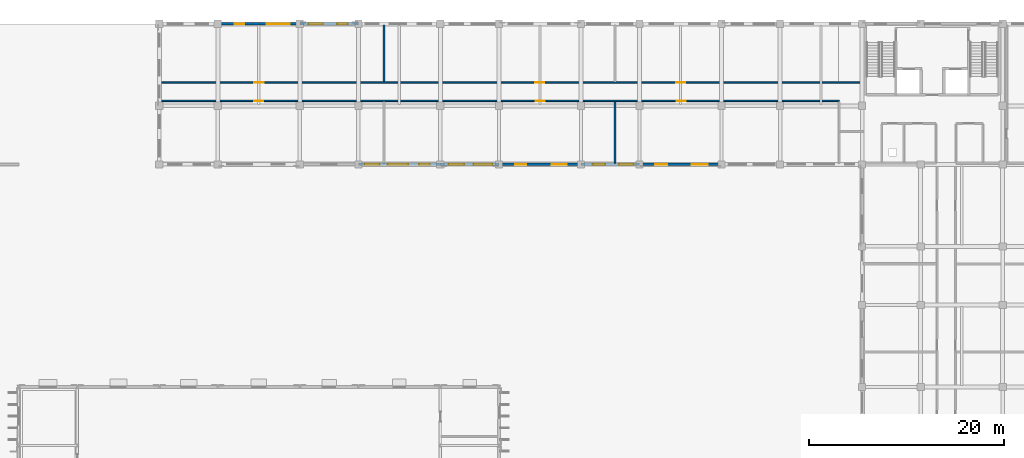
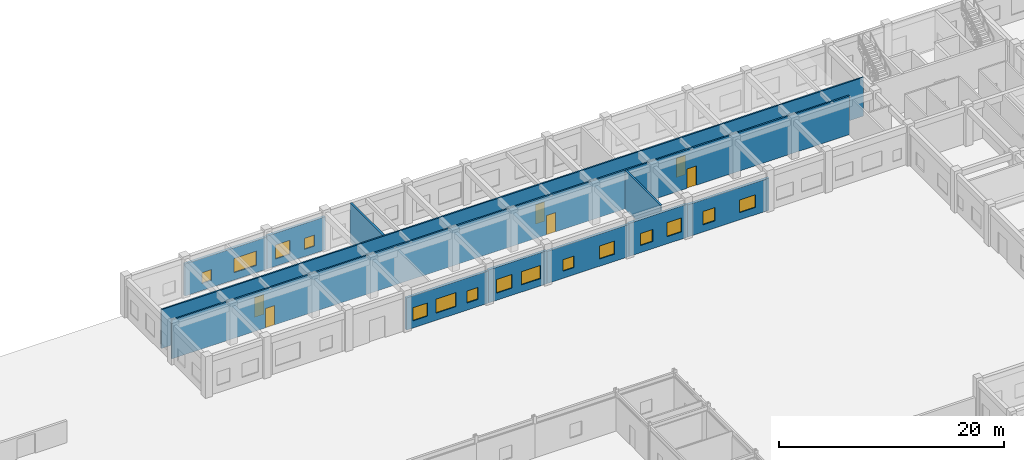
# One storey, part 40 of 67: 15 windows, 11 walls, 6 doors, 21 openings.
"""IFC4 building model written with IfcOpenShell, lengths in metres."""

from ifc_helpers import new_model, si_unit, direction, frame, frame_2d, origin, place, context, subcontext, project, spatial, rectangle, extrude, material, layer, layer_set, type_object, element, fill, save


model = new_model("IFC4")

# Units and contexts
model_context = context("Model", 3, precision=1e-05, world=origin(), true_north=direction((0.0, 1.0)))
body_context = subcontext(model_context, "Body", "Model", "MODEL_VIEW")
ifc_project = project(units=[si_unit("LENGTHUNIT", "METRE"), si_unit("AREAUNIT", "SQUARE_METRE"), si_unit("VOLUMEUNIT", "CUBIC_METRE"), si_unit("PLANEANGLEUNIT", "RADIAN"), si_unit("MASSUNIT", "GRAM", prefix="KILO"), si_unit("THERMODYNAMICTEMPERATUREUNIT", "KELVIN")], contexts=[model_context])

# Site, building, storey
site_placement = place(None, origin())
site = spatial("IfcSite", under=ifc_project, at=site_placement, CompositionType="ELEMENT")
building_placement = place(site_placement, origin())
building = spatial("IfcBuilding", under=site, at=building_placement, Name="Thalorik Housing Commons", CompositionType="ELEMENT")
storey_placement = place(building_placement, origin())
storey = spatial("IfcBuildingStorey", under=building, at=storey_placement, Name="L00", CompositionType="ELEMENT", Elevation=0.0)

# Wall, openings, doors
ifc_material_1 = material(Name="Masonry fire-rated corridor wall", Category="masonry")
ifc_layer_1 = layer(ifc_material_1, 0.14990234375, Name="Masonry fire-rated corridor wall", Category="masonry")
ifc_layer_set_1 = layer_set([ifc_layer_1], Name="Masonry fire-rated corridor wall")
wall_type_1 = type_object("IfcWallType", Name="ARC-WAL-CORR-150", PredefinedType="PARTITIONING", material=ifc_layer_set_1)
wall_1_placement = place(storey_placement, frame((80.529541015625, 117.580078125, 0.0), z_axis=(0.0, 0.0, 1.0), x_axis=(1.0, 0.0, 0.0)))
wall_1 = element("IfcWall", 1, at=wall_1_placement, inside=storey, type_object=wall_type_1, Name="L00 Block B N Corridor Wall 2", PredefinedType="PARTITIONING", context=body_context, shape_type="SweptSolid", body=[
    extrude(rectangle(XDim=72.010498046875, YDim=0.14990234375, at=frame_2d((36.00537109375, 0.0))), origin(), (0.0, 0.0, 1.0), 4.199951171875),
])
opening_1_placement = place(wall_1_placement, frame((9.5869140625, 0.0, 0.0)))
opening_1 = element("IfcOpeningElement", 2, at=opening_1_placement, cuts=wall_1, Name="Opening ID-1000", PredefinedType="OPENING", context=body_context, shape_type="SweptSolid", body=[
    extrude(rectangle(XDim=0.9599609375, YDim=2.1201171875, at=frame_2d((0.47998046875, 1.06005859375))), frame((0.0, 0.0849609375, 0.0), z_axis=(0.0, -1.0, 0.0), x_axis=(1.0, 0.0, 0.0)), (0.0, 0.0, 1.0), 0.169921875),
])
opening_2_placement = place(wall_1_placement, frame((38.409912109375, 0.0, 0.0)))
opening_2 = element("IfcOpeningElement", 3, at=opening_2_placement, cuts=wall_1, Name="Opening ID-1001", PredefinedType="OPENING", context=body_context, shape_type="SweptSolid", body=[
    extrude(rectangle(XDim=0.919921875, YDim=2.10009765625, at=frame_2d((0.4599609375, 1.050048828125))), frame((0.0, 0.0849609375, 0.0), z_axis=(0.0, -1.0, 0.0), x_axis=(1.0, 0.0, 0.0)), (0.0, 0.0, 1.0), 0.169921875),
])
opening_3_placement = place(wall_1_placement, frame((52.857421875, 0.0, 0.0)))
opening_3 = element("IfcOpeningElement", 4, at=opening_3_placement, cuts=wall_1, Name="Opening ID-1002", PredefinedType="OPENING", context=body_context, shape_type="SweptSolid", body=[
    extrude(rectangle(XDim=0.919921875, YDim=2.10009765625, at=frame_2d((0.4599609375, 1.050048828125))), frame((0.0, 0.0849609375, 0.0), z_axis=(0.0, -1.0, 0.0), x_axis=(1.0, 0.0, 0.0)), (0.0, 0.0, 1.0), 0.169921875),
])
ifc_material_2 = material(Name="Solid core hardwood timber", Category="wood")
door_type_1 = type_object("IfcDoorType", Name="ARC-DR-FD30-920", OperationType="NOTDEFINED", PredefinedType="DOOR", material=ifc_material_2)
door_1_placement = place(opening_2_placement, origin())
door_1 = element("IfcDoor", 5, at=door_1_placement, inside=storey, type_object=door_type_1, Name="L00 Community Youth Studio Door", OperationType="SINGLE_SWING_RIGHT", OverallHeight=2.10009765625, OverallWidth=0.919921875, PredefinedType="DOOR", context=body_context, shape_type="SweptSolid", body=[
    extrude(rectangle(XDim=0.919921875, YDim=2.10009765625, at=frame_2d((0.4599609375, 1.050048828125))), frame((0.0, 0.02490234375, 0.0), z_axis=(0.0, -1.0, 0.0), x_axis=(1.0, 0.0, 0.0)), (0.0, 0.0, 1.0), 0.050048828125),
])
fill(opening_2, door_1)
door_2_placement = place(opening_3_placement, origin())
door_2 = element("IfcDoor", 6, at=door_2_placement, inside=storey, type_object=door_type_1, Name="L00 Senior Day Lounge Door", OperationType="SINGLE_SWING_LEFT", OverallHeight=2.10009765625, OverallWidth=0.919921875, PredefinedType="DOOR", context=body_context, shape_type="SweptSolid", body=[
    extrude(rectangle(XDim=0.919921875, YDim=2.10009765625, at=frame_2d((0.4599609375, 1.050048828125))), frame((0.0, 0.02490234375, 0.0), z_axis=(0.0, -1.0, 0.0), x_axis=(1.0, 0.0, 0.0)), (0.0, 0.0, 1.0), 0.050048828125),
])
fill(opening_3, door_2)
door_type_2 = type_object("IfcDoorType", Name="ARC-DR-FD30-960", OperationType="NOTDEFINED", PredefinedType="DOOR", material=ifc_material_2)
door_3_placement = place(opening_1_placement, origin())
door_3 = element("IfcDoor", 7, at=door_3_placement, inside=storey, type_object=door_type_2, Name="L00 Residents Cooperative Library Door", OperationType="SINGLE_SWING_LEFT", OverallHeight=2.1201171875, OverallWidth=0.9599609375, PredefinedType="DOOR", context=body_context, shape_type="SweptSolid", body=[
    extrude(rectangle(XDim=0.9599609375, YDim=2.1201171875, at=frame_2d((0.47998046875, 1.06005859375))), frame((0.0, 0.02490234375, 0.0), z_axis=(0.0, -1.0, 0.0), x_axis=(1.0, 0.0, 0.0)), (0.0, 0.0, 1.0), 0.050048828125),
])
fill(opening_1, door_3)

ifc_layer_2 = layer(ifc_material_1, 0.1650390625, Name="Masonry fire-rated corridor wall", Category="masonry")
ifc_layer_set_2 = layer_set([ifc_layer_2], Name="Masonry fire-rated corridor wall")
wall_type_2 = type_object("IfcWallType", Name="ARC-WAL-CORR-165", PredefinedType="PARTITIONING", material=ifc_layer_set_2)
wall_2_placement = place(storey_placement, frame((80.529541015625, 115.719970703125, 0.0), z_axis=(0.0, 0.0, 1.0), x_axis=(1.0, 0.0, 0.0)))
wall_2 = element("IfcWall", 8, at=wall_2_placement, inside=storey, type_object=wall_type_2, Name="L00 Block B N Corridor Wall 1", PredefinedType="PARTITIONING", context=body_context, shape_type="SweptSolid", body=[
    extrude(rectangle(XDim=69.5205078125, YDim=0.1650390625, at=frame_2d((34.76025390625, 0.0))), origin(), (0.0, 0.0, 1.0), 4.199951171875),
])
opening_4_placement = place(wall_2_placement, frame((9.591064453125, 0.0, 0.0)))
opening_4 = element("IfcOpeningElement", 9, at=opening_4_placement, cuts=wall_2, Name="Opening ID-0997", PredefinedType="OPENING", context=body_context, shape_type="SweptSolid", body=[
    extrude(rectangle(XDim=0.949951171875, YDim=2.10009765625, at=frame_2d((0.47509765625, 1.050048828125))), frame((0.0, 0.092529296875, 0.0), z_axis=(0.0, -1.0, 0.0), x_axis=(1.0, 0.0, 0.0)), (0.0, 0.0, 1.0), 0.18505859375),
])
opening_5_placement = place(wall_2_placement, frame((38.416748046875, 0.0, 0.0)))
opening_5 = element("IfcOpeningElement", 10, at=opening_5_placement, cuts=wall_2, Name="Opening ID-0998", PredefinedType="OPENING", context=body_context, shape_type="SweptSolid", body=[
    extrude(rectangle(XDim=0.949951171875, YDim=2.10009765625, at=frame_2d((0.47509765625, 1.050048828125))), frame((0.0, 0.092529296875, 0.0), z_axis=(0.0, -1.0, 0.0), x_axis=(1.0, 0.0, 0.0)), (0.0, 0.0, 1.0), 0.18505859375),
])
opening_6_placement = place(wall_2_placement, frame((52.860107421875, 0.0, 0.0)))
opening_6 = element("IfcOpeningElement", 11, at=opening_6_placement, cuts=wall_2, Name="Opening ID-0999", PredefinedType="OPENING", context=body_context, shape_type="SweptSolid", body=[
    extrude(rectangle(XDim=0.949951171875, YDim=2.10009765625, at=frame_2d((0.47509765625, 1.050048828125))), frame((0.0, 0.092529296875, 0.0), z_axis=(0.0, -1.0, 0.0), x_axis=(1.0, 0.0, 0.0)), (0.0, 0.0, 1.0), 0.18505859375),
])
ifc_material_3 = material(Name="Steel S355", Category="steel")
door_type_3 = type_object("IfcDoorType", Name="ARC-DR-FD60-950", OperationType="NOTDEFINED", PredefinedType="DOOR", material=ifc_material_3)
door_4_placement = place(opening_4_placement, origin())
door_4 = element("IfcDoor", 12, at=door_4_placement, inside=storey, type_object=door_type_3, Name="L00 Residents Lounge Entrance Door", OperationType="SINGLE_SWING_RIGHT", OverallHeight=2.10009765625, OverallWidth=0.949951171875, PredefinedType="DOOR", context=body_context, shape_type="SweptSolid", body=[
    extrude(rectangle(XDim=0.949951171875, YDim=2.10009765625, at=frame_2d((0.47509765625, 1.050048828125))), frame((0.0, 0.02490234375, 0.0), z_axis=(0.0, -1.0, 0.0), x_axis=(1.0, 0.0, 0.0)), (0.0, 0.0, 1.0), 0.050048828125),
])
fill(opening_4, door_4)
door_5_placement = place(opening_5_placement, origin())
door_5 = element("IfcDoor", 13, at=door_5_placement, inside=storey, type_object=door_type_3, Name="L00 Bicycle Repair Workshop Entrance Door", OperationType="SINGLE_SWING_LEFT", OverallHeight=2.10009765625, OverallWidth=0.949951171875, PredefinedType="DOOR", context=body_context, shape_type="SweptSolid", body=[
    extrude(rectangle(XDim=0.949951171875, YDim=2.10009765625, at=frame_2d((0.47509765625, 1.050048828125))), frame((0.0, 0.02490234375, 0.0), z_axis=(0.0, -1.0, 0.0), x_axis=(1.0, 0.0, 0.0)), (0.0, 0.0, 1.0), 0.050048828125),
])
fill(opening_5, door_5)
door_6_placement = place(opening_6_placement, origin())
door_6 = element("IfcDoor", 14, at=door_6_placement, inside=storey, type_object=door_type_3, Name="L00 Cooperative Parcel Room Entrance Door", OperationType="SINGLE_SWING_RIGHT", OverallHeight=2.10009765625, OverallWidth=0.949951171875, PredefinedType="DOOR", context=body_context, shape_type="SweptSolid", body=[
    extrude(rectangle(XDim=0.949951171875, YDim=2.10009765625, at=frame_2d((0.47509765625, 1.050048828125))), frame((0.0, 0.02490234375, 0.0), z_axis=(0.0, -1.0, 0.0), x_axis=(1.0, 0.0, 0.0)), (0.0, 0.0, 1.0), 0.050048828125),
])
fill(opening_6, door_6)

# Wall, openings, windows
ifc_material_4 = material(Name="White precast concrete C40/50", Category="concrete")
ifc_layer_3 = layer(ifc_material_4, 0.2548828125, Name="White precast concrete C40/50", Category="concrete")
ifc_layer_set_3 = layer_set([ifc_layer_3], Name="White precast concrete C40/50")
wall_type_3 = type_object("IfcWallType", Name="ARC-WAL-EXT-255", PredefinedType="STANDARD", material=ifc_layer_set_3)
wall_3_placement = place(storey_placement, frame((100.800048828125, 123.60009765625, 0.0), z_axis=(0.0, 0.0, 1.0), x_axis=(-1.0, 0.0, 0.0)))
wall_3 = element("IfcWall", 15, at=wall_3_placement, inside=storey, type_object=wall_type_3, Name="L00 Exterior Wall WAL-EXT-L00-B-0381", PredefinedType="STANDARD", context=body_context, shape_type="SweptSolid", body=[
    extrude(rectangle(XDim=6.0, YDim=0.2548828125, at=frame_2d((3.0, 0.0))), origin(), (0.0, 0.0, 1.0), 3.5849609375),
])
opening_7_placement = place(wall_3_placement, frame((1.10498046875, 0.0, 0.780029296875)))
opening_7 = element("IfcOpeningElement", 16, at=opening_7_placement, cuts=wall_3, Name="Opening W-44", PredefinedType="OPENING", context=body_context, shape_type="SweptSolid", body=[
    extrude(rectangle(XDim=1.050048828125, YDim=1.199951171875, at=frame_2d((0.52490234375, 0.60009765625))), frame((0.0, 0.137451171875, 0.0), z_axis=(0.0, -1.0, 0.0), x_axis=(1.0, 0.0, 0.0)), (0.0, 0.0, 1.0), 0.27490234375),
])
opening_8_placement = place(wall_3_placement, frame((3.6298828125, 0.0, 0.780029296875)))
opening_8 = element("IfcOpeningElement", 17, at=opening_8_placement, cuts=wall_3, Name="Opening W-51", PredefinedType="OPENING", context=body_context, shape_type="SweptSolid", body=[
    extrude(rectangle(XDim=1.47998046875, YDim=1.52001953125, at=frame_2d((0.739990234375, 0.760009765625))), frame((0.0, 0.137451171875, 0.0), z_axis=(0.0, -1.0, 0.0), x_axis=(1.0, 0.0, 0.0)), (0.0, 0.0, 1.0), 0.27490234375),
])
ifc_material_5 = material(Name="Anodised aluminium and solar-control low-E glass", Category="aluminium")
window_type_1 = type_object("IfcWindowType", Name="ARC-WIN-44", PartitioningType="SINGLE_PANEL", PredefinedType="WINDOW", material=ifc_material_5)
window_1_placement = place(opening_7_placement, origin())
window_1 = element("IfcWindow", 18, at=window_1_placement, inside=storey, type_object=window_type_1, Name="L00 Facade Window 676", OverallHeight=1.199951171875, OverallWidth=1.050048828125, PartitioningType="SINGLE_PANEL", PredefinedType="WINDOW", context=body_context, shape_type="SweptSolid", body=[
    extrude(rectangle(XDim=1.050048828125, YDim=1.199951171875, at=frame_2d((0.52490234375, 0.60009765625))), frame((0.0, 0.030029296875, 0.0), z_axis=(0.0, -1.0, 0.0), x_axis=(1.0, 0.0, 0.0)), (0.0, 0.0, 1.0), 0.06005859375),
])
fill(opening_7, window_1)
window_type_2 = type_object("IfcWindowType", Name="ARC-WIN-51", PartitioningType="SINGLE_PANEL", PredefinedType="WINDOW", material=ifc_material_5)
window_2_placement = place(opening_8_placement, origin())
window_2 = element("IfcWindow", 19, at=window_2_placement, inside=storey, type_object=window_type_2, Name="L00 Facade Window 677", OverallHeight=1.52001953125, OverallWidth=1.47998046875, PartitioningType="SINGLE_PANEL", PredefinedType="WINDOW", context=body_context, shape_type="SweptSolid", body=[
    extrude(rectangle(XDim=1.47998046875, YDim=1.52001953125, at=frame_2d((0.739990234375, 0.760009765625))), frame((0.0, 0.030029296875, 0.0), z_axis=(0.0, -1.0, 0.0), x_axis=(1.0, 0.0, 0.0)), (0.0, 0.0, 1.0), 0.06005859375),
])
fill(opening_8, window_2)

wall_4_placement = place(storey_placement, frame((94.800048828125, 123.60009765625, 0.0), z_axis=(0.0, 0.0, 1.0), x_axis=(-1.0, 0.0, 0.0)))
wall_4 = element("IfcWall", 20, at=wall_4_placement, inside=storey, type_object=wall_type_3, Name="L00 Exterior Wall WAL-EXT-L00-B-0382", PredefinedType="STANDARD", context=body_context, shape_type="SweptSolid", body=[
    extrude(rectangle(XDim=8.400146484375, YDim=0.2548828125, at=frame_2d((4.2001953125, 0.0))), origin(), (0.0, 0.0, 1.0), 3.485107421875),
])
opening_9_placement = place(wall_4_placement, frame((1.054931640625, 0.0, 0.780029296875)))
opening_9 = element("IfcOpeningElement", 21, at=opening_9_placement, cuts=wall_4, Name="Opening W-33", PredefinedType="OPENING", context=body_context, shape_type="SweptSolid", body=[
    extrude(rectangle(XDim=2.35009765625, YDim=1.550048828125, at=frame_2d((1.175048828125, 0.77490234375))), frame((0.0, 0.137451171875, 0.0), z_axis=(0.0, -1.0, 0.0), x_axis=(1.0, 0.0, 0.0)), (0.0, 0.0, 1.0), 0.27490234375),
])
opening_10_placement = place(wall_4_placement, frame((5.695068359375, 0.0, 0.780029296875)))
opening_10 = element("IfcOpeningElement", 22, at=opening_10_placement, cuts=wall_4, Name="Opening W-43", PredefinedType="OPENING", context=body_context, shape_type="SweptSolid", body=[
    extrude(rectangle(XDim=0.949951171875, YDim=1.14990234375, at=frame_2d((0.47509765625, 0.574951171875))), frame((0.0, 0.137451171875, 0.0), z_axis=(0.0, -1.0, 0.0), x_axis=(1.0, 0.0, 0.0)), (0.0, 0.0, 1.0), 0.27490234375),
])
window_type_3 = type_object("IfcWindowType", Name="ARC-WIN-33", PartitioningType="DOUBLE_PANEL_VERTICAL", PredefinedType="WINDOW", material=ifc_material_5)
window_3_placement = place(opening_9_placement, origin())
window_3 = element("IfcWindow", 23, at=window_3_placement, inside=storey, type_object=window_type_3, Name="L00 Facade Window 678", OverallHeight=1.550048828125, OverallWidth=2.35009765625, PartitioningType="DOUBLE_PANEL_VERTICAL", PredefinedType="WINDOW", context=body_context, shape_type="SweptSolid", body=[
    extrude(rectangle(XDim=2.35009765625, YDim=1.550048828125, at=frame_2d((1.175048828125, 0.77490234375))), frame((0.0, 0.030029296875, 0.0), z_axis=(0.0, -1.0, 0.0), x_axis=(1.0, 0.0, 0.0)), (0.0, 0.0, 1.0), 0.06005859375),
])
fill(opening_9, window_3)
window_type_4 = type_object("IfcWindowType", Name="ARC-WIN-43", PartitioningType="SINGLE_PANEL", PredefinedType="WINDOW", material=ifc_material_5)
window_4_placement = place(opening_10_placement, origin())
window_4 = element("IfcWindow", 24, at=window_4_placement, inside=storey, type_object=window_type_4, Name="L00 Facade Window 679", OverallHeight=1.14990234375, OverallWidth=0.949951171875, PartitioningType="SINGLE_PANEL", PredefinedType="WINDOW", context=body_context, shape_type="SweptSolid", body=[
    extrude(rectangle(XDim=0.949951171875, YDim=1.14990234375, at=frame_2d((0.47509765625, 0.574951171875))), frame((0.0, 0.030029296875, 0.0), z_axis=(0.0, -1.0, 0.0), x_axis=(1.0, 0.0, 0.0)), (0.0, 0.0, 1.0), 0.06005859375),
])
fill(opening_10, window_4)

wall_5_placement = place(storey_placement, frame((100.800048828125, 109.199951171875, 0.0), z_axis=(0.0, 0.0, 1.0), x_axis=(1.0, 0.0, 0.0)))
wall_5 = element("IfcWall", 25, at=wall_5_placement, inside=storey, type_object=wall_type_3, Name="L00 Exterior Wall WAL-EXT-L00-B-0389", PredefinedType="STANDARD", context=body_context, shape_type="SweptSolid", body=[
    extrude(rectangle(XDim=8.39990234375, YDim=0.2548828125, at=frame_2d((4.199951171875, 0.0))), origin(), (0.0, 0.0, 1.0), 3.485107421875),
])
opening_11_placement = place(wall_5_placement, frame((0.64501953125, 0.0, 0.780029296875)))
opening_11 = element("IfcOpeningElement", 26, at=opening_11_placement, cuts=wall_5, Name="Opening W-52", PredefinedType="OPENING", context=body_context, shape_type="SweptSolid", body=[
    extrude(rectangle(XDim=1.52001953125, YDim=1.419921875, at=frame_2d((0.760009765625, 0.7099609375))), frame((0.0, 0.137451171875, 0.0), z_axis=(0.0, -1.0, 0.0), x_axis=(1.0, 0.0, 0.0)), (0.0, 0.0, 1.0), 0.27490234375),
])
opening_12_placement = place(wall_5_placement, frame((3.012451171875, 0.0, 0.780029296875)))
opening_12 = element("IfcOpeningElement", 27, at=opening_12_placement, cuts=wall_5, Name="Opening W-63", PredefinedType="OPENING", context=body_context, shape_type="SweptSolid", body=[
    extrude(rectangle(XDim=2.080078125, YDim=1.52001953125, at=frame_2d((1.0400390625, 0.760009765625))), frame((0.0, 0.137451171875, 0.0), z_axis=(0.0, -1.0, 0.0), x_axis=(1.0, 0.0, 0.0)), (0.0, 0.0, 1.0), 0.27490234375),
])
opening_13_placement = place(wall_5_placement, frame((6.2275390625, 0.0, 0.780029296875)))
opening_13 = element("IfcOpeningElement", 28, at=opening_13_placement, cuts=wall_5, Name="Opening W-03", PredefinedType="OPENING", context=body_context, shape_type="SweptSolid", body=[
    extrude(rectangle(XDim=1.10009765625, YDim=1.300048828125, at=frame_2d((0.550048828125, 0.64990234375))), frame((0.0, 0.137451171875, 0.0), z_axis=(0.0, -1.0, 0.0), x_axis=(1.0, 0.0, 0.0)), (0.0, 0.0, 1.0), 0.27490234375),
])
window_type_5 = type_object("IfcWindowType", Name="ARC-WIN-03", PartitioningType="SINGLE_PANEL", PredefinedType="WINDOW", material=ifc_material_5)
window_5_placement = place(opening_13_placement, origin())
window_5 = element("IfcWindow", 29, at=window_5_placement, inside=storey, type_object=window_type_5, Name="L00 Facade Window 693", OverallHeight=1.300048828125, OverallWidth=1.10009765625, PartitioningType="SINGLE_PANEL", PredefinedType="WINDOW", context=body_context, shape_type="SweptSolid", body=[
    extrude(rectangle(XDim=1.10009765625, YDim=1.300048828125, at=frame_2d((0.550048828125, 0.64990234375))), frame((0.0, 0.030029296875, 0.0), z_axis=(0.0, -1.0, 0.0), x_axis=(1.0, 0.0, 0.0)), (0.0, 0.0, 1.0), 0.06005859375),
])
fill(opening_13, window_5)
window_type_6 = type_object("IfcWindowType", Name="ARC-WIN-52", PartitioningType="SINGLE_PANEL", PredefinedType="WINDOW", material=ifc_material_5)
window_6_placement = place(opening_11_placement, origin())
window_6 = element("IfcWindow", 30, at=window_6_placement, inside=storey, type_object=window_type_6, Name="L00 Facade Window 691", OverallHeight=1.419921875, OverallWidth=1.52001953125, PartitioningType="SINGLE_PANEL", PredefinedType="WINDOW", context=body_context, shape_type="SweptSolid", body=[
    extrude(rectangle(XDim=1.52001953125, YDim=1.419921875, at=frame_2d((0.760009765625, 0.7099609375))), frame((0.0, 0.030029296875, 0.0), z_axis=(0.0, -1.0, 0.0), x_axis=(1.0, 0.0, 0.0)), (0.0, 0.0, 1.0), 0.06005859375),
])
fill(opening_11, window_6)
window_type_7 = type_object("IfcWindowType", Name="ARC-WIN-63", PartitioningType="DOUBLE_PANEL_VERTICAL", PredefinedType="WINDOW", material=ifc_material_5)
window_7_placement = place(opening_12_placement, origin())
window_7 = element("IfcWindow", 31, at=window_7_placement, inside=storey, type_object=window_type_7, Name="L00 Facade Window 692", OverallHeight=1.52001953125, OverallWidth=2.080078125, PartitioningType="DOUBLE_PANEL_VERTICAL", PredefinedType="WINDOW", context=body_context, shape_type="SweptSolid", body=[
    extrude(rectangle(XDim=2.080078125, YDim=1.52001953125, at=frame_2d((1.0400390625, 0.760009765625))), frame((0.0, 0.030029296875, 0.0), z_axis=(0.0, -1.0, 0.0), x_axis=(1.0, 0.0, 0.0)), (0.0, 0.0, 1.0), 0.06005859375),
])
fill(opening_12, window_7)

wall_6_placement = place(storey_placement, frame((109.199951171875, 109.199951171875, 0.0), z_axis=(0.0, 0.0, 1.0), x_axis=(1.0, 0.0, 0.0)))
wall_6 = element("IfcWall", 32, at=wall_6_placement, inside=storey, type_object=wall_type_3, Name="L00 Exterior Wall WAL-EXT-L00-B-0390", PredefinedType="STANDARD", context=body_context, shape_type="SweptSolid", body=[
    extrude(rectangle(XDim=6.0, YDim=0.2548828125, at=frame_2d((3.0, 0.0))), origin(), (0.0, 0.0, 1.0), 3.5849609375),
])
opening_14_placement = place(wall_6_placement, frame((0.840087890625, 0.0, 0.780029296875)))
opening_14 = element("IfcOpeningElement", 33, at=opening_14_placement, cuts=wall_6, Name="Opening W-53", PredefinedType="OPENING", context=body_context, shape_type="SweptSolid", body=[
    extrude(rectangle(XDim=1.580078125, YDim=1.47998046875, at=frame_2d((0.7900390625, 0.739990234375))), frame((0.0, 0.137451171875, 0.0), z_axis=(0.0, -1.0, 0.0), x_axis=(1.0, 0.0, 0.0)), (0.0, 0.0, 1.0), 0.27490234375),
])
opening_15_placement = place(wall_6_placement, frame((3.409912109375, 0.0, 0.780029296875)))
opening_15 = element("IfcOpeningElement", 34, at=opening_15_placement, cuts=wall_6, Name="Opening W-60", PredefinedType="OPENING", context=body_context, shape_type="SweptSolid", body=[
    extrude(rectangle(XDim=1.919921875, YDim=1.43994140625, at=frame_2d((0.9599609375, 0.719970703125))), frame((0.0, 0.137451171875, 0.0), z_axis=(0.0, -1.0, 0.0), x_axis=(1.0, 0.0, 0.0)), (0.0, 0.0, 1.0), 0.27490234375),
])
window_type_8 = type_object("IfcWindowType", Name="ARC-WIN-53", PartitioningType="SINGLE_PANEL", PredefinedType="WINDOW", material=ifc_material_5)
window_8_placement = place(opening_14_placement, origin())
window_8 = element("IfcWindow", 35, at=window_8_placement, inside=storey, type_object=window_type_8, Name="L00 Facade Window 694", OverallHeight=1.47998046875, OverallWidth=1.580078125, PartitioningType="SINGLE_PANEL", PredefinedType="WINDOW", context=body_context, shape_type="SweptSolid", body=[
    extrude(rectangle(XDim=1.580078125, YDim=1.47998046875, at=frame_2d((0.7900390625, 0.739990234375))), frame((0.0, 0.030029296875, 0.0), z_axis=(0.0, -1.0, 0.0), x_axis=(1.0, 0.0, 0.0)), (0.0, 0.0, 1.0), 0.06005859375),
])
fill(opening_14, window_8)
window_type_9 = type_object("IfcWindowType", Name="ARC-WIN-60", PartitioningType="DOUBLE_PANEL_VERTICAL", PredefinedType="WINDOW", material=ifc_material_5)
window_9_placement = place(opening_15_placement, origin())
window_9 = element("IfcWindow", 36, at=window_9_placement, inside=storey, type_object=window_type_9, Name="L00 Facade Window 695", OverallHeight=1.43994140625, OverallWidth=1.919921875, PartitioningType="DOUBLE_PANEL_VERTICAL", PredefinedType="WINDOW", context=body_context, shape_type="SweptSolid", body=[
    extrude(rectangle(XDim=1.919921875, YDim=1.43994140625, at=frame_2d((0.9599609375, 0.719970703125))), frame((0.0, 0.030029296875, 0.0), z_axis=(0.0, -1.0, 0.0), x_axis=(1.0, 0.0, 0.0)), (0.0, 0.0, 1.0), 0.06005859375),
])
fill(opening_15, window_9)

wall_7_placement = place(storey_placement, frame((115.199951171875, 109.199951171875, 0.0), z_axis=(0.0, 0.0, 1.0), x_axis=(1.0, 0.0, 0.0)))
wall_7 = element("IfcWall", 37, at=wall_7_placement, inside=storey, type_object=wall_type_3, Name="L00 Exterior Wall WAL-EXT-L00-B-0391", PredefinedType="STANDARD", context=body_context, shape_type="SweptSolid", body=[
    extrude(rectangle(XDim=8.400146484375, YDim=0.2548828125, at=frame_2d((4.2001953125, 0.0))), origin(), (0.0, 0.0, 1.0), 3.485107421875),
])
opening_16_placement = place(wall_7_placement, frame((1.655029296875, 0.0, 0.780029296875)))
opening_16 = element("IfcOpeningElement", 38, at=opening_16_placement, cuts=wall_7, Name="Opening W-45", PredefinedType="OPENING", context=body_context, shape_type="SweptSolid", body=[
    extrude(rectangle(XDim=1.14990234375, YDim=1.25, at=frame_2d((0.574951171875, 0.625))), frame((0.0, 0.137451171875, 0.0), z_axis=(0.0, -1.0, 0.0), x_axis=(1.0, 0.0, 0.0)), (0.0, 0.0, 1.0), 0.27490234375),
])
opening_17_placement = place(wall_7_placement, frame((5.409912109375, 0.0, 0.780029296875)))
opening_17 = element("IfcOpeningElement", 39, at=opening_17_placement, cuts=wall_7, Name="Opening W-52", PredefinedType="OPENING", context=body_context, shape_type="SweptSolid", body=[
    extrude(rectangle(XDim=1.52001953125, YDim=1.419921875, at=frame_2d((0.760009765625, 0.7099609375))), frame((0.0, 0.137451171875, 0.0), z_axis=(0.0, -1.0, 0.0), x_axis=(1.0, 0.0, 0.0)), (0.0, 0.0, 1.0), 0.27490234375),
])
window_type_10 = type_object("IfcWindowType", Name="ARC-WIN-45", PartitioningType="SINGLE_PANEL", PredefinedType="WINDOW", material=ifc_material_5)
window_10_placement = place(opening_16_placement, origin())
window_10 = element("IfcWindow", 40, at=window_10_placement, inside=storey, type_object=window_type_10, Name="L00 Facade Window 696", OverallHeight=1.25, OverallWidth=1.14990234375, PartitioningType="SINGLE_PANEL", PredefinedType="WINDOW", context=body_context, shape_type="SweptSolid", body=[
    extrude(rectangle(XDim=1.14990234375, YDim=1.25, at=frame_2d((0.574951171875, 0.625))), frame((0.0, 0.030029296875, 0.0), z_axis=(0.0, -1.0, 0.0), x_axis=(1.0, 0.0, 0.0)), (0.0, 0.0, 1.0), 0.06005859375),
])
fill(opening_16, window_10)
window_11_placement = place(opening_17_placement, origin())
window_11 = element("IfcWindow", 41, at=window_11_placement, inside=storey, type_object=window_type_6, Name="L00 Facade Window 697", OverallHeight=1.419921875, OverallWidth=1.52001953125, PartitioningType="SINGLE_PANEL", PredefinedType="WINDOW", context=body_context, shape_type="SweptSolid", body=[
    extrude(rectangle(XDim=1.52001953125, YDim=1.419921875, at=frame_2d((0.760009765625, 0.7099609375))), frame((0.0, 0.030029296875, 0.0), z_axis=(0.0, -1.0, 0.0), x_axis=(1.0, 0.0, 0.0)), (0.0, 0.0, 1.0), 0.06005859375),
])
fill(opening_17, window_11)

wall_8_placement = place(storey_placement, frame((123.60009765625, 109.199951171875, 0.0), z_axis=(0.0, 0.0, 1.0), x_axis=(1.0, 0.0, 0.0)))
wall_8 = element("IfcWall", 42, at=wall_8_placement, inside=storey, type_object=wall_type_3, Name="L00 Exterior Wall WAL-EXT-L00-B-0392", PredefinedType="STANDARD", context=body_context, shape_type="SweptSolid", body=[
    extrude(rectangle(XDim=6.0, YDim=0.2548828125, at=frame_2d((3.0, 0.0))), origin(), (0.0, 0.0, 1.0), 3.5849609375),
])
opening_18_placement = place(wall_8_placement, frame((1.215087890625, 0.0, 0.780029296875)))
opening_18 = element("IfcOpeningElement", 43, at=opening_18_placement, cuts=wall_8, Name="Opening W-46", PredefinedType="OPENING", context=body_context, shape_type="SweptSolid", body=[
    extrude(rectangle(XDim=1.25, YDim=1.300048828125, at=frame_2d((0.625, 0.64990234375))), frame((0.0, 0.137451171875, 0.0), z_axis=(0.0, -1.0, 0.0), x_axis=(1.0, 0.0, 0.0)), (0.0, 0.0, 1.0), 0.27490234375),
])
opening_19_placement = place(wall_8_placement, frame((3.909912109375, 0.0, 0.780029296875)))
opening_19 = element("IfcOpeningElement", 44, at=opening_19_placement, cuts=wall_8, Name="Opening W-51", PredefinedType="OPENING", context=body_context, shape_type="SweptSolid", body=[
    extrude(rectangle(XDim=1.47998046875, YDim=1.52001953125, at=frame_2d((0.739990234375, 0.760009765625))), frame((0.0, 0.137451171875, 0.0), z_axis=(0.0, -1.0, 0.0), x_axis=(1.0, 0.0, 0.0)), (0.0, 0.0, 1.0), 0.27490234375),
])
window_type_11 = type_object("IfcWindowType", Name="ARC-WIN-46", PartitioningType="SINGLE_PANEL", PredefinedType="WINDOW", material=ifc_material_5)
window_12_placement = place(opening_18_placement, origin())
window_12 = element("IfcWindow", 45, at=window_12_placement, inside=storey, type_object=window_type_11, Name="L00 Facade Window 698", OverallHeight=1.300048828125, OverallWidth=1.25, PartitioningType="SINGLE_PANEL", PredefinedType="WINDOW", context=body_context, shape_type="SweptSolid", body=[
    extrude(rectangle(XDim=1.25, YDim=1.300048828125, at=frame_2d((0.625, 0.64990234375))), frame((0.0, 0.030029296875, 0.0), z_axis=(0.0, -1.0, 0.0), x_axis=(1.0, 0.0, 0.0)), (0.0, 0.0, 1.0), 0.06005859375),
])
fill(opening_18, window_12)
window_13_placement = place(opening_19_placement, origin())
window_13 = element("IfcWindow", 46, at=window_13_placement, inside=storey, type_object=window_type_2, Name="L00 Facade Window 699", OverallHeight=1.52001953125, OverallWidth=1.47998046875, PartitioningType="SINGLE_PANEL", PredefinedType="WINDOW", context=body_context, shape_type="SweptSolid", body=[
    extrude(rectangle(XDim=1.47998046875, YDim=1.52001953125, at=frame_2d((0.739990234375, 0.760009765625))), frame((0.0, 0.030029296875, 0.0), z_axis=(0.0, -1.0, 0.0), x_axis=(1.0, 0.0, 0.0)), (0.0, 0.0, 1.0), 0.06005859375),
])
fill(opening_19, window_13)

wall_9_placement = place(storey_placement, frame((129.60009765625, 109.199951171875, 0.0), z_axis=(0.0, 0.0, 1.0), x_axis=(1.0, 0.0, 0.0)))
wall_9 = element("IfcWall", 47, at=wall_9_placement, inside=storey, type_object=wall_type_3, Name="L00 Exterior Wall WAL-EXT-L00-B-0393", PredefinedType="STANDARD", context=body_context, shape_type="SweptSolid", body=[
    extrude(rectangle(XDim=8.39990234375, YDim=0.2548828125, at=frame_2d((4.199951171875, 0.0))), origin(), (0.0, 0.0, 1.0), 3.485107421875),
])
opening_20_placement = place(wall_9_placement, frame((1.60498046875, 0.0, 0.780029296875)))
opening_20 = element("IfcOpeningElement", 48, at=opening_20_placement, cuts=wall_9, Name="Opening W-47", PredefinedType="OPENING", context=body_context, shape_type="SweptSolid", body=[
    extrude(rectangle(XDim=1.25, YDim=1.449951171875, at=frame_2d((0.625, 0.72509765625))), frame((0.0, 0.137451171875, 0.0), z_axis=(0.0, -1.0, 0.0), x_axis=(1.0, 0.0, 0.0)), (0.0, 0.0, 1.0), 0.27490234375),
])
opening_21_placement = place(wall_9_placement, frame((5.360107421875, 0.0, 0.780029296875)))
opening_21 = element("IfcOpeningElement", 49, at=opening_21_placement, cuts=wall_9, Name="Opening W-54", PredefinedType="OPENING", context=body_context, shape_type="SweptSolid", body=[
    extrude(rectangle(XDim=1.6201171875, YDim=1.3798828125, at=frame_2d((0.81005859375, 0.68994140625))), frame((0.0, 0.137451171875, 0.0), z_axis=(0.0, -1.0, 0.0), x_axis=(1.0, 0.0, 0.0)), (0.0, 0.0, 1.0), 0.27490234375),
])
window_type_12 = type_object("IfcWindowType", Name="ARC-WIN-47", PartitioningType="SINGLE_PANEL", PredefinedType="WINDOW", material=ifc_material_5)
window_14_placement = place(opening_20_placement, origin())
window_14 = element("IfcWindow", 50, at=window_14_placement, inside=storey, type_object=window_type_12, Name="L00 Facade Window 700", OverallHeight=1.449951171875, OverallWidth=1.25, PartitioningType="SINGLE_PANEL", PredefinedType="WINDOW", context=body_context, shape_type="SweptSolid", body=[
    extrude(rectangle(XDim=1.25, YDim=1.449951171875, at=frame_2d((0.625, 0.72509765625))), frame((0.0, 0.030029296875, 0.0), z_axis=(0.0, -1.0, 0.0), x_axis=(1.0, 0.0, 0.0)), (0.0, 0.0, 1.0), 0.06005859375),
])
fill(opening_20, window_14)
window_type_13 = type_object("IfcWindowType", Name="ARC-WIN-54", PartitioningType="DOUBLE_PANEL_VERTICAL", PredefinedType="WINDOW", material=ifc_material_5)
window_15_placement = place(opening_21_placement, origin())
window_15 = element("IfcWindow", 51, at=window_15_placement, inside=storey, type_object=window_type_13, Name="L00 Facade Window 701", OverallHeight=1.3798828125, OverallWidth=1.6201171875, PartitioningType="DOUBLE_PANEL_VERTICAL", PredefinedType="WINDOW", context=body_context, shape_type="SweptSolid", body=[
    extrude(rectangle(XDim=1.6201171875, YDim=1.3798828125, at=frame_2d((0.81005859375, 0.68994140625))), frame((0.0, 0.030029296875, 0.0), z_axis=(0.0, -1.0, 0.0), x_axis=(1.0, 0.0, 0.0)), (0.0, 0.0, 1.0), 0.06005859375),
])
fill(opening_21, window_15)

# Walls
ifc_material_6 = material(Name="Masonry acoustic blockwork wall", Category="masonry")
ifc_layer_4 = layer(ifc_material_6, 0.18505859375, Name="Masonry acoustic blockwork wall", Category="masonry")
ifc_layer_set_4 = layer_set([ifc_layer_4], Name="Masonry acoustic blockwork wall")
wall_type_4 = type_object("IfcWallType", Name="ARC-WAL-PARTY-185", PredefinedType="PARTITIONING", material=ifc_layer_set_4)
wall_10_placement = place(storey_placement, frame((127.090087890625, 109.32958984375, 0.0), z_axis=(0.0, 0.0, 1.0), x_axis=(0.0, 1.0, 0.0)))
element("IfcWall", 52, at=wall_10_placement, inside=storey, type_object=wall_type_4, Name="L00 Inter-Tenancy Wall 2A", PredefinedType="PARTITIONING", context=body_context, shape_type="SweptSolid", body=[
    extrude(rectangle(XDim=6.305908203125, YDim=0.18505859375, at=frame_2d((3.15283203125, 0.0))), origin(), (0.0, 0.0, 1.0), 4.199951171875),
])
ifc_material_7 = material(Name="Precast concrete C40/50 acoustic wall", Category="concrete")
ifc_layer_5 = layer(ifc_material_7, 0.219970703125, Name="Precast concrete C40/50 acoustic wall", Category="concrete")
ifc_layer_set_5 = layer_set([ifc_layer_5], Name="Precast concrete C40/50 acoustic wall")
wall_type_5 = type_object("IfcWallType", Name="ARC-WAL-PARTY-220", PredefinedType="PARTITIONING", material=ifc_layer_set_5)
wall_11_placement = place(storey_placement, frame((103.419921875, 117.656982421875, 0.0), z_axis=(0.0, 0.0, 1.0), x_axis=(0.0, 1.0, 0.0)))
element("IfcWall", 53, at=wall_11_placement, inside=storey, type_object=wall_type_5, Name="L00 Inter-Tenancy Wall 1B", PredefinedType="PARTITIONING", context=body_context, shape_type="SweptSolid", body=[
    extrude(rectangle(XDim=5.8134765625, YDim=0.219970703125, at=frame_2d((2.90673828125, 0.0))), origin(), (0.0, 0.0, 1.0), 4.199951171875),
])

save(model, "model.ifc")
